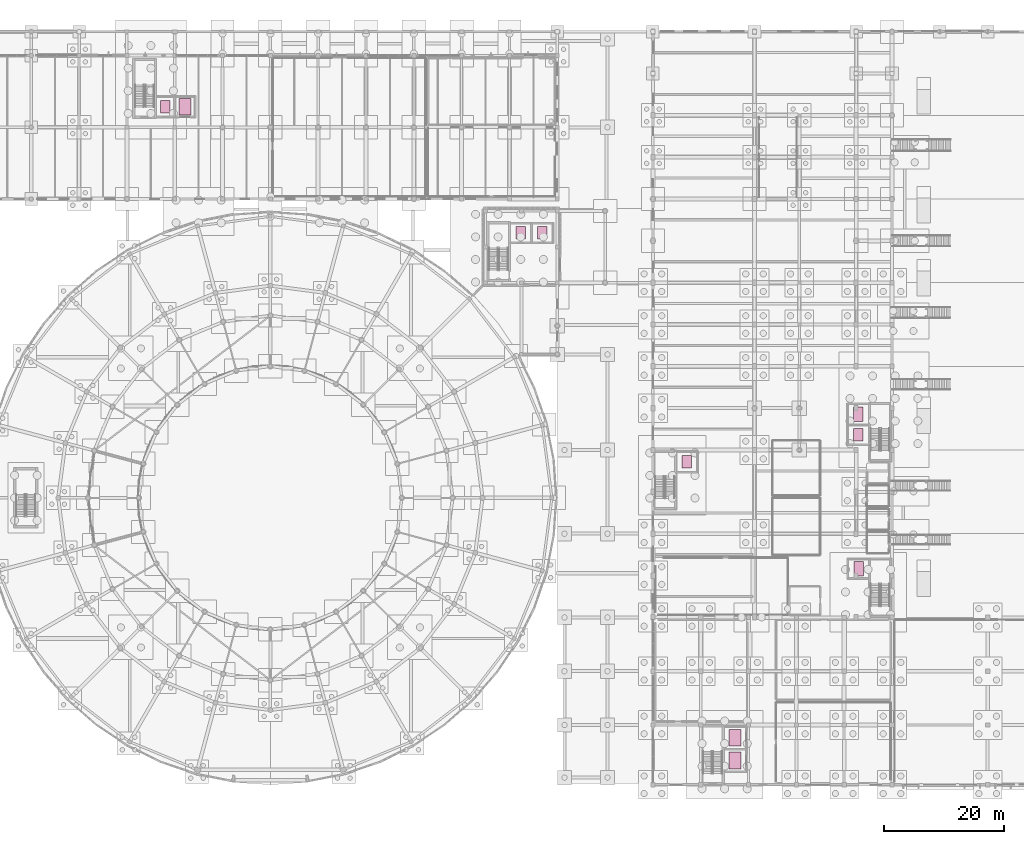
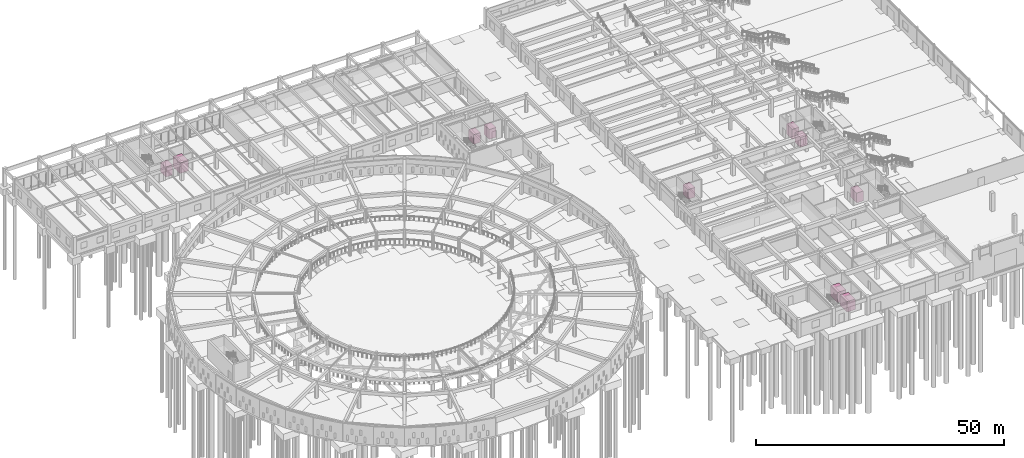
# One storey, part 84 of 84: 10 transport elements.
"""IFC4 building model written with IfcOpenShell, lengths in metres."""

from ifc_helpers import new_model, si_unit, direction, frame, origin, origin_2d, place, context, subcontext, project, spatial, rectangle, extrude, material, type_object, element, save


model = new_model("IFC4")

# Units and contexts
model_context = context("Model", 3, precision=1e-05, world=origin(), true_north=direction((0.0, 1.0)))
body_context = subcontext(model_context, "Body", "Model", "MODEL_VIEW")
ifc_project = project(units=[si_unit("LENGTHUNIT", "METRE"), si_unit("AREAUNIT", "SQUARE_METRE"), si_unit("VOLUMEUNIT", "CUBIC_METRE"), si_unit("PLANEANGLEUNIT", "RADIAN"), si_unit("MASSUNIT", "GRAM", prefix="KILO")], contexts=[model_context])

# Site, building, storey
site_placement = place(None, origin())
site = spatial("IfcSite", under=ifc_project, at=site_placement, CompositionType="ELEMENT")
building_placement = place(site_placement, origin())
building = spatial("IfcBuilding", under=site, at=building_placement, Name="Larkveld Mobility Hub", CompositionType="ELEMENT")
storey_placement = place(building_placement, origin())
storey = spatial("IfcBuildingStorey", under=building, at=storey_placement, Name="L00", CompositionType="ELEMENT", Elevation=0.0)

# Transport elements
ifc_material_1 = material(Name="Brushed Steel S355JR lift car", Category="steel")
transport_element_type_1 = type_object("IfcTransportElementType", Name="LF-FF-1800", PredefinedType="ELEVATOR", material=ifc_material_1)
for number, where, z_axis, x_axis, name in (
    (1, (146.419921875, 36.125, 0.0), (0.0, 0.0, 1.0), (1.0, 0.0, 0.0), "Firefighting Lift FL1"),
    (2, (146.3798828125, 61.97509765625, 0.0), (0.0, 0.0, 1.0), (1.0, 0.0, 0.0), "Firefighting Lift FL2"),
):
    element("IfcTransportElement", number, at=place(storey_placement, frame(where, z_axis=z_axis, x_axis=x_axis)), inside=storey, type_object=transport_element_type_1, Name=name, PredefinedType="ELEVATOR", context=body_context, shape_type="SweptSolid", body=[
        extrude(rectangle(XDim=1.60009765625, YDim=2.39990234375, at=origin_2d()), origin(), (0.0, 0.0, 1.0), 2.39990234375),
    ])
ifc_material_2 = material(Name="Brushed Steel S355JR goods lift car", Category="steel")
transport_element_type_2 = type_object("IfcTransportElementType", Name="LF-GD-2500", PredefinedType="ELEVATOR", material=ifc_material_2)
for number, where, z_axis, x_axis, name in (
    (3, (125.739990234375, 7.85498046875, 0.0), (0.0, 0.0, 1.0), (1.0, 0.0, 0.0), "Workshop Goods Lift GL1"),
    (4, (125.739990234375, 4.070068359375, 0.0), (0.0, 0.0, 1.0), (1.0, 0.0, 0.0), "Parts Goods Lift GL2"),
    (5, (33.699951171875, 113.449951171875, 0.0), (0.0, 0.0, 1.0), (1.0, 0.0, 0.0), "Cargo-Bike Lift GL3"),
):
    element("IfcTransportElement", number, at=place(storey_placement, frame(where, z_axis=z_axis, x_axis=x_axis)), inside=storey, type_object=transport_element_type_2, Name=name, PredefinedType="ELEVATOR", context=body_context, shape_type="SweptSolid", body=[
        extrude(rectangle(XDim=2.0, YDim=2.800048828125, at=origin_2d()), origin(), (0.0, 0.0, 1.0), 2.550048828125),
    ])
transport_element_type_3 = type_object("IfcTransportElementType", Name="LF-PS-1600", PredefinedType="ELEVATOR", material=ifc_material_1)
for number, where, z_axis, x_axis, name in (
    (6, (146.3798828125, 58.5400390625, 0.0), (0.0, 0.0, 1.0), (1.0, 0.0, 0.0), "Passenger Lift PL1"),
    (7, (117.659912109375, 54.02490234375, 0.0), (0.0, 0.0, 1.0), (1.0, 0.0, 0.0), "Passenger Lift PL2"),
    (8, (89.860107421875, 92.324951171875, 0.0), (0.0, 0.0, 1.0), (1.0, 0.0, 0.0), "Concourse Bridge Lift PL3"),
    (9, (93.47998046875, 92.324951171875, 0.0), (0.0, 0.0, 1.0), (1.0, 0.0, 0.0), "Drum Arrival Lift PL4"),
    (10, (30.429931640625, 113.449951171875, 0.0), (0.0, 0.0, 1.0), (1.0, 0.0, 0.0), "Bicycle Hall Passenger Lift PL5"),
):
    element("IfcTransportElement", number, at=place(storey_placement, frame(where, z_axis=z_axis, x_axis=x_axis)), inside=storey, type_object=transport_element_type_3, Name=name, PredefinedType="ELEVATOR", context=body_context, shape_type="SweptSolid", body=[
        extrude(rectangle(XDim=1.60009765625, YDim=2.10009765625, at=origin_2d()), origin(), (0.0, 0.0, 1.0), 2.39990234375),
    ])

save(model, "model.ifc")
